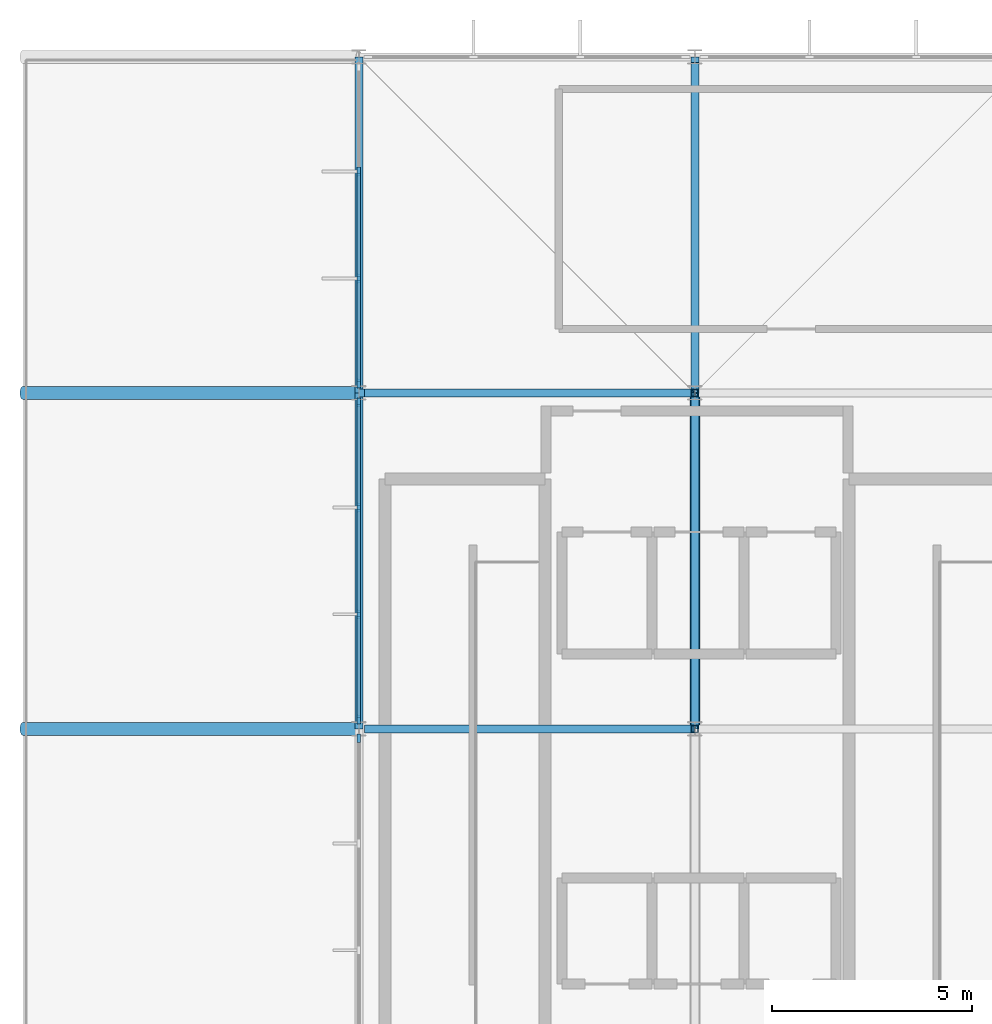
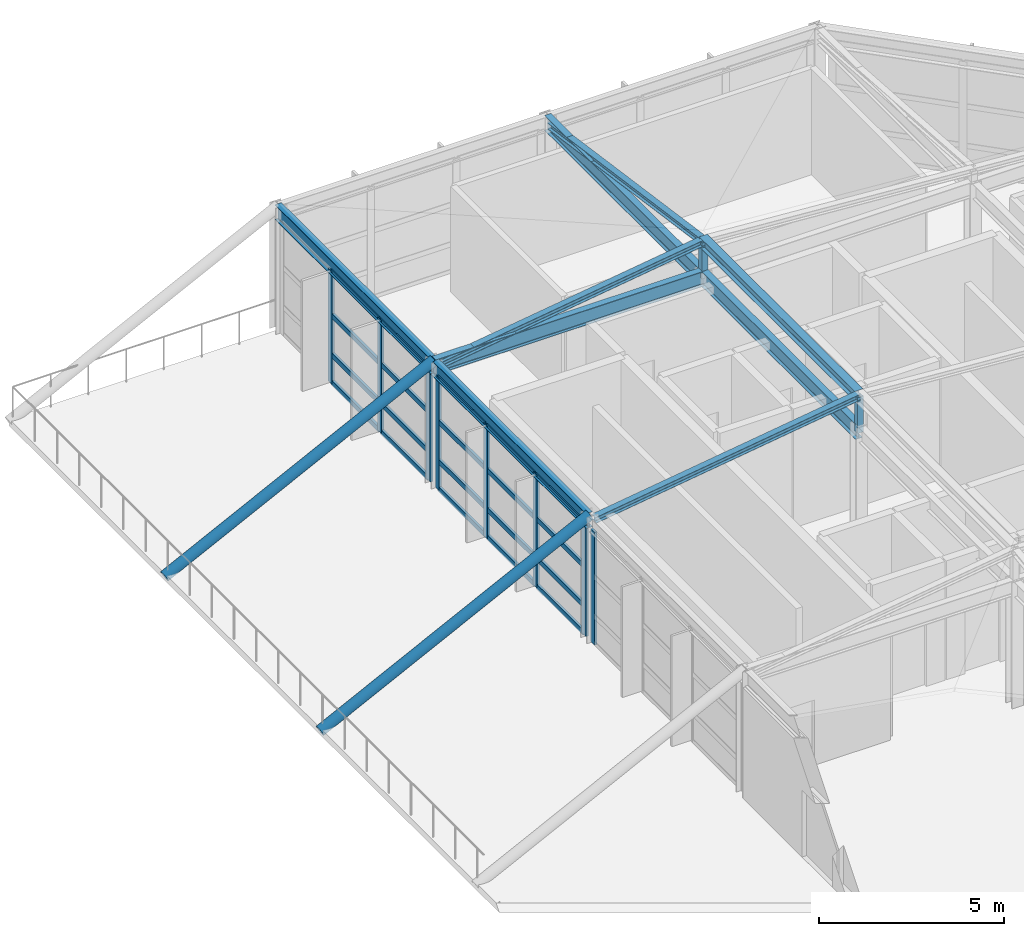
# One storey, part 3 of 9: 36 members, 5 beams, 3 elements without a shape of their own.
"""IFC4 building model written with IfcOpenShell, lengths in metres."""

from ifc_helpers import new_model, si_unit, direction, frame, origin, origin_2d, place, context, subcontext, project, spatial, rectangle, hollow_rectangle, hollow_circle, i_section, extrude, material, material_profile, profile_set, type_object, element, aggregate, save


model = new_model("IFC4")

# Units and contexts
model_context = context("Model", 3, precision=1e-05, world=origin(), true_north=direction((0.0, 1.0)))
body_context = subcontext(model_context, "Body", "Model", "MODEL_VIEW")
ifc_project = project(units=[si_unit("LENGTHUNIT", "METRE"), si_unit("AREAUNIT", "SQUARE_METRE"), si_unit("VOLUMEUNIT", "CUBIC_METRE"), si_unit("PLANEANGLEUNIT", "RADIAN"), si_unit("MASSUNIT", "GRAM", prefix="KILO")], contexts=[model_context])

# Site, building, storey
site_placement = place(None, origin())
site = spatial("IfcSite", under=ifc_project, at=site_placement, CompositionType="ELEMENT")
building_placement = place(site_placement, origin())
building = spatial("IfcBuilding", under=site, at=building_placement, Name="Xuanlan Plaza Opera House", CompositionType="ELEMENT")
storey_placement = place(building_placement, frame((0.0, 0.0, 74.39990234375)))
storey = spatial("IfcBuildingStorey", under=building, at=storey_placement, Name="ROOF", CompositionType="ELEMENT", Elevation=74.39990234375)

# Curtain wall, members
ifc_material_1 = material(Name="Anodised Aluminium 6063-T6 and Low-E Glass", Category="aluminium")
curtain_wall_type_1 = type_object("IfcCurtainWallType", Name="ENV-CW-CW-03", PredefinedType="USERDEFINED", material=ifc_material_1)
curtain_wall_1_placement = place(storey_placement, origin())
curtain_wall_1 = element("IfcCurtainWall", 1, at=curtain_wall_1_placement, inside=storey, type_object=curtain_wall_type_1, Name="Unitised Curtain Wall ROOF-009", ObjectType="UNITISED CURTAIN WALL", PredefinedType="USERDEFINED")
ifc_material_2 = material(Name="Anodised Aluminium 6063-T6", Category="aluminium")
ifc_material_profile_1 = material_profile(ifc_material_2, rectangle(XDim=0.080078125, YDim=0.219970703125, at=origin_2d()), Name="ALU-M 80x220")
ifc_profile_set_1 = profile_set([ifc_material_profile_1], Name="Anodised Aluminium 6063-T6")
member_type_1 = type_object("IfcMemberType", Name="ENV-CWM-04", PredefinedType="MULLION", material=ifc_profile_set_1)
member_1_placement = place(storey_placement, frame((134.39990234375, 72.735107421875, 0.0), z_axis=(0.0, 0.0, 1.0), x_axis=(1.0, 0.0, 0.0)))
member_1 = element("IfcMember", 2, at=member_1_placement, type_object=member_type_1, Name="CW-03 mullion 2", PredefinedType="MULLION", context=body_context, shape_type="SweptSolid", body=[
    extrude(rectangle(XDim=0.080078125, YDim=0.219970703125, at=origin_2d()), origin(), (0.0, 0.0, 1.0), 3.72021484375),
])
member_2_placement = place(storey_placement, frame((134.39990234375, 70.06494140625, 0.0), z_axis=(0.0, 0.0, 1.0), x_axis=(1.0, 0.0, 0.0)))
member_2 = element("IfcMember", 3, at=member_2_placement, type_object=member_type_1, Name="CW-03 mullion 3", PredefinedType="MULLION", context=body_context, shape_type="SweptSolid", body=[
    extrude(rectangle(XDim=0.080078125, YDim=0.219970703125, at=origin_2d()), origin(), (0.0, 0.0, 1.0), 3.72021484375),
])
member_3_placement = place(storey_placement, frame((134.39990234375, 67.43505859375, 0.0), z_axis=(0.0, 0.0, 1.0), x_axis=(1.0, 0.0, 0.0)))
member_3 = element("IfcMember", 4, at=member_3_placement, type_object=member_type_1, Name="CW-03 mullion 4", PredefinedType="MULLION", context=body_context, shape_type="SweptSolid", body=[
    extrude(rectangle(XDim=0.080078125, YDim=0.219970703125, at=origin_2d()), origin(), (0.0, 0.0, 1.0), 3.72021484375),
])

curtain_wall_type_2 = type_object("IfcCurtainWallType", Name="ENV-CW-CW-04", PredefinedType="USERDEFINED", material=ifc_material_1)
curtain_wall_2_placement = place(storey_placement, origin())
curtain_wall_2 = element("IfcCurtainWall", 5, at=curtain_wall_2_placement, inside=storey, type_object=curtain_wall_type_2, Name="Unitised Curtain Wall ROOF-010", ObjectType="UNITISED CURTAIN WALL", PredefinedType="USERDEFINED")
member_4_placement = place(storey_placement, frame((134.39990234375, 66.965087890625, 0.0), z_axis=(0.0, 0.0, 1.0), x_axis=(1.0, 0.0, 0.0)))
member_4 = element("IfcMember", 6, at=member_4_placement, type_object=member_type_1, Name="CW-04 mullion 1", PredefinedType="MULLION", context=body_context, shape_type="SweptSolid", body=[
    extrude(rectangle(XDim=0.080078125, YDim=0.219970703125, at=origin_2d()), origin(), (0.0, 0.0, 1.0), 3.72021484375),
])
member_5_placement = place(storey_placement, frame((134.39990234375, 64.3349609375, 0.0), z_axis=(0.0, 0.0, 1.0), x_axis=(1.0, 0.0, 0.0)))
member_5 = element("IfcMember", 7, at=member_5_placement, type_object=member_type_1, Name="CW-04 mullion 2", PredefinedType="MULLION", context=body_context, shape_type="SweptSolid", body=[
    extrude(rectangle(XDim=0.080078125, YDim=0.219970703125, at=origin_2d()), origin(), (0.0, 0.0, 1.0), 3.72021484375),
])
member_6_placement = place(storey_placement, frame((134.39990234375, 61.6650390625, 0.0), z_axis=(0.0, 0.0, 1.0), x_axis=(1.0, 0.0, 0.0)))
member_6 = element("IfcMember", 8, at=member_6_placement, type_object=member_type_1, Name="CW-04 mullion 3", PredefinedType="MULLION", context=body_context, shape_type="SweptSolid", body=[
    extrude(rectangle(XDim=0.080078125, YDim=0.219970703125, at=origin_2d()), origin(), (0.0, 0.0, 1.0), 3.72021484375),
])
member_7_placement = place(storey_placement, frame((134.39990234375, 59.034912109375, 0.0), z_axis=(0.0, 0.0, 1.0), x_axis=(1.0, 0.0, 0.0)))
member_7 = element("IfcMember", 9, at=member_7_placement, type_object=member_type_1, Name="CW-04 mullion 4", PredefinedType="MULLION", context=body_context, shape_type="SweptSolid", body=[
    extrude(rectangle(XDim=0.080078125, YDim=0.219970703125, at=origin_2d()), origin(), (0.0, 0.0, 1.0), 3.72021484375),
])

# Curtain wall, member
curtain_wall_3_placement = place(storey_placement, origin())
curtain_wall_3 = element("IfcCurtainWall", 10, at=curtain_wall_3_placement, inside=storey, type_object=curtain_wall_type_1, Name="Unitised Curtain Wall ROOF-011", ObjectType="UNITISED CURTAIN WALL", PredefinedType="USERDEFINED")
member_8_placement = place(storey_placement, frame((134.39990234375, 58.56494140625, 0.0), z_axis=(0.0, 0.0, 1.0), x_axis=(1.0, 0.0, 0.0)))
member_8 = element("IfcMember", 11, at=member_8_placement, type_object=member_type_1, Name="CW-03 mullion 1", PredefinedType="MULLION", context=body_context, shape_type="SweptSolid", body=[
    extrude(rectangle(XDim=0.080078125, YDim=0.219970703125, at=origin_2d()), origin(), (0.0, 0.0, 1.0), 3.72021484375),
])
aggregate(curtain_wall_3, [member_8])

# Member
ifc_material_profile_2 = material_profile(ifc_material_2, rectangle(XDim=0.080078125, YDim=0.1650390625, at=origin_2d()), Name="ALU-T 80x165")
ifc_profile_set_2 = profile_set([ifc_material_profile_2], Name="Anodised Aluminium 6063-T6")
member_type_2 = type_object("IfcMemberType", Name="ENV-CWT-04", PredefinedType="USERDEFINED", material=ifc_profile_set_2)
member_9_placement = place(storey_placement, frame((134.39990234375, 72.695068359375, 0.0400390625), z_axis=(0.0, -1.0, 0.0), x_axis=(1.0, 0.0, 0.0)))
member_9 = element("IfcMember", 12, at=member_9_placement, type_object=member_type_2, Name="CW-03 transom 2.1", ObjectType="TRANSOM", PredefinedType="USERDEFINED", context=body_context, shape_type="SweptSolid", body=[
    extrude(rectangle(XDim=0.080078125, YDim=0.1650390625, at=origin_2d()), origin(), (0.0, 0.0, 1.0), 2.590087890625),
])

member_10_placement = place(storey_placement, frame((134.39990234375, 72.695068359375, 0.9501953125), z_axis=(0.0, -1.0, 0.0), x_axis=(1.0, 0.0, 0.0)))
member_10 = element("IfcMember", 13, at=member_10_placement, type_object=member_type_2, Name="CW-03 transom 2.2", ObjectType="TRANSOM", PredefinedType="USERDEFINED", context=body_context, shape_type="SweptSolid", body=[
    extrude(rectangle(XDim=0.080078125, YDim=0.1650390625, at=origin_2d()), origin(), (0.0, 0.0, 1.0), 2.590087890625),
])

member_11_placement = place(storey_placement, frame((134.39990234375, 72.695068359375, 2.25), z_axis=(0.0, -1.0, 0.0), x_axis=(1.0, 0.0, 0.0)))
member_11 = element("IfcMember", 14, at=member_11_placement, type_object=member_type_2, Name="CW-03 transom 2.3", ObjectType="TRANSOM", PredefinedType="USERDEFINED", context=body_context, shape_type="SweptSolid", body=[
    extrude(rectangle(XDim=0.080078125, YDim=0.1650390625, at=origin_2d()), origin(), (0.0, 0.0, 1.0), 2.590087890625),
])

member_12_placement = place(storey_placement, frame((134.39990234375, 72.695068359375, 3.68017578125), z_axis=(0.0, -1.0, 0.0), x_axis=(1.0, 0.0, 0.0)))
member_12 = element("IfcMember", 15, at=member_12_placement, type_object=member_type_2, Name="CW-03 transom 2.4", ObjectType="TRANSOM", PredefinedType="USERDEFINED", context=body_context, shape_type="SweptSolid", body=[
    extrude(rectangle(XDim=0.080078125, YDim=0.1650390625, at=origin_2d()), origin(), (0.0, 0.0, 1.0), 2.590087890625),
])

member_13_placement = place(storey_placement, frame((134.39990234375, 70.02490234375, 0.0400390625), z_axis=(0.0, -1.0, 0.0), x_axis=(1.0, 0.0, 0.0)))
member_13 = element("IfcMember", 16, at=member_13_placement, type_object=member_type_2, Name="CW-03 transom 3.1", ObjectType="TRANSOM", PredefinedType="USERDEFINED", context=body_context, shape_type="SweptSolid", body=[
    extrude(rectangle(XDim=0.080078125, YDim=0.1650390625, at=origin_2d()), origin(), (0.0, 0.0, 1.0), 2.5498046875),
])

member_14_placement = place(storey_placement, frame((134.39990234375, 70.02490234375, 0.9501953125), z_axis=(0.0, -1.0, 0.0), x_axis=(1.0, 0.0, 0.0)))
member_14 = element("IfcMember", 17, at=member_14_placement, type_object=member_type_2, Name="CW-03 transom 3.2", ObjectType="TRANSOM", PredefinedType="USERDEFINED", context=body_context, shape_type="SweptSolid", body=[
    extrude(rectangle(XDim=0.080078125, YDim=0.1650390625, at=origin_2d()), origin(), (0.0, 0.0, 1.0), 2.5498046875),
])

member_15_placement = place(storey_placement, frame((134.39990234375, 70.02490234375, 2.25), z_axis=(0.0, -1.0, 0.0), x_axis=(1.0, 0.0, 0.0)))
member_15 = element("IfcMember", 18, at=member_15_placement, type_object=member_type_2, Name="CW-03 transom 3.3", ObjectType="TRANSOM", PredefinedType="USERDEFINED", context=body_context, shape_type="SweptSolid", body=[
    extrude(rectangle(XDim=0.080078125, YDim=0.1650390625, at=origin_2d()), origin(), (0.0, 0.0, 1.0), 2.5498046875),
])

member_16_placement = place(storey_placement, frame((134.39990234375, 70.02490234375, 3.68017578125), z_axis=(0.0, -1.0, 0.0), x_axis=(1.0, 0.0, 0.0)))
member_16 = element("IfcMember", 19, at=member_16_placement, type_object=member_type_2, Name="CW-03 transom 3.4", ObjectType="TRANSOM", PredefinedType="USERDEFINED", context=body_context, shape_type="SweptSolid", body=[
    extrude(rectangle(XDim=0.080078125, YDim=0.1650390625, at=origin_2d()), origin(), (0.0, 0.0, 1.0), 2.5498046875),
])

aggregate(curtain_wall_1, [member_1, member_2, member_3, member_9, member_10, member_11, member_12, member_13, member_14, member_15, member_16])

member_17_placement = place(storey_placement, frame((134.39990234375, 66.925048828125, 0.0400390625), z_axis=(0.0, -1.0, 0.0), x_axis=(1.0, 0.0, 0.0)))
member_17 = element("IfcMember", 20, at=member_17_placement, type_object=member_type_2, Name="CW-04 transom 1.1", ObjectType="TRANSOM", PredefinedType="USERDEFINED", context=body_context, shape_type="SweptSolid", body=[
    extrude(rectangle(XDim=0.080078125, YDim=0.1650390625, at=origin_2d()), origin(), (0.0, 0.0, 1.0), 2.550048828125),
])

member_18_placement = place(storey_placement, frame((134.39990234375, 66.925048828125, 0.9501953125), z_axis=(0.0, -1.0, 0.0), x_axis=(1.0, 0.0, 0.0)))
member_18 = element("IfcMember", 21, at=member_18_placement, type_object=member_type_2, Name="CW-04 transom 1.2", ObjectType="TRANSOM", PredefinedType="USERDEFINED", context=body_context, shape_type="SweptSolid", body=[
    extrude(rectangle(XDim=0.080078125, YDim=0.1650390625, at=origin_2d()), origin(), (0.0, 0.0, 1.0), 2.550048828125),
])

member_19_placement = place(storey_placement, frame((134.39990234375, 66.925048828125, 2.25), z_axis=(0.0, -1.0, 0.0), x_axis=(1.0, 0.0, 0.0)))
member_19 = element("IfcMember", 22, at=member_19_placement, type_object=member_type_2, Name="CW-04 transom 1.3", ObjectType="TRANSOM", PredefinedType="USERDEFINED", context=body_context, shape_type="SweptSolid", body=[
    extrude(rectangle(XDim=0.080078125, YDim=0.1650390625, at=origin_2d()), origin(), (0.0, 0.0, 1.0), 2.550048828125),
])

member_20_placement = place(storey_placement, frame((134.39990234375, 66.925048828125, 3.68017578125), z_axis=(0.0, -1.0, 0.0), x_axis=(1.0, 0.0, 0.0)))
member_20 = element("IfcMember", 23, at=member_20_placement, type_object=member_type_2, Name="CW-04 transom 1.4", ObjectType="TRANSOM", PredefinedType="USERDEFINED", context=body_context, shape_type="SweptSolid", body=[
    extrude(rectangle(XDim=0.080078125, YDim=0.1650390625, at=origin_2d()), origin(), (0.0, 0.0, 1.0), 2.550048828125),
])

member_21_placement = place(storey_placement, frame((134.39990234375, 64.294921875, 0.0400390625), z_axis=(0.0, -1.0, 0.0), x_axis=(1.0, 0.0, 0.0)))
member_21 = element("IfcMember", 24, at=member_21_placement, type_object=member_type_2, Name="CW-04 transom 2.1", ObjectType="TRANSOM", PredefinedType="USERDEFINED", context=body_context, shape_type="SweptSolid", body=[
    extrude(rectangle(XDim=0.080078125, YDim=0.1650390625, at=origin_2d()), origin(), (0.0, 0.0, 1.0), 2.58984375),
])

member_22_placement = place(storey_placement, frame((134.39990234375, 64.294921875, 0.9501953125), z_axis=(0.0, -1.0, 0.0), x_axis=(1.0, 0.0, 0.0)))
member_22 = element("IfcMember", 25, at=member_22_placement, type_object=member_type_2, Name="CW-04 transom 2.2", ObjectType="TRANSOM", PredefinedType="USERDEFINED", context=body_context, shape_type="SweptSolid", body=[
    extrude(rectangle(XDim=0.080078125, YDim=0.1650390625, at=origin_2d()), origin(), (0.0, 0.0, 1.0), 2.58984375),
])

member_23_placement = place(storey_placement, frame((134.39990234375, 64.294921875, 2.25), z_axis=(0.0, -1.0, 0.0), x_axis=(1.0, 0.0, 0.0)))
member_23 = element("IfcMember", 26, at=member_23_placement, type_object=member_type_2, Name="CW-04 transom 2.3", ObjectType="TRANSOM", PredefinedType="USERDEFINED", context=body_context, shape_type="SweptSolid", body=[
    extrude(rectangle(XDim=0.080078125, YDim=0.1650390625, at=origin_2d()), origin(), (0.0, 0.0, 1.0), 2.58984375),
])

member_24_placement = place(storey_placement, frame((134.39990234375, 64.294921875, 3.68017578125), z_axis=(0.0, -1.0, 0.0), x_axis=(1.0, 0.0, 0.0)))
member_24 = element("IfcMember", 27, at=member_24_placement, type_object=member_type_2, Name="CW-04 transom 2.4", ObjectType="TRANSOM", PredefinedType="USERDEFINED", context=body_context, shape_type="SweptSolid", body=[
    extrude(rectangle(XDim=0.080078125, YDim=0.1650390625, at=origin_2d()), origin(), (0.0, 0.0, 1.0), 2.58984375),
])

member_25_placement = place(storey_placement, frame((134.39990234375, 61.625, 0.0400390625), z_axis=(0.0, -1.0, 0.0), x_axis=(1.0, 0.0, 0.0)))
member_25 = element("IfcMember", 28, at=member_25_placement, type_object=member_type_2, Name="CW-04 transom 3.1", ObjectType="TRANSOM", PredefinedType="USERDEFINED", context=body_context, shape_type="SweptSolid", body=[
    extrude(rectangle(XDim=0.080078125, YDim=0.1650390625, at=origin_2d()), origin(), (0.0, 0.0, 1.0), 2.550048828125),
])

member_26_placement = place(storey_placement, frame((134.39990234375, 61.625, 0.9501953125), z_axis=(0.0, -1.0, 0.0), x_axis=(1.0, 0.0, 0.0)))
member_26 = element("IfcMember", 29, at=member_26_placement, type_object=member_type_2, Name="CW-04 transom 3.2", ObjectType="TRANSOM", PredefinedType="USERDEFINED", context=body_context, shape_type="SweptSolid", body=[
    extrude(rectangle(XDim=0.080078125, YDim=0.1650390625, at=origin_2d()), origin(), (0.0, 0.0, 1.0), 2.550048828125),
])

member_27_placement = place(storey_placement, frame((134.39990234375, 61.625, 2.25), z_axis=(0.0, -1.0, 0.0), x_axis=(1.0, 0.0, 0.0)))
member_27 = element("IfcMember", 30, at=member_27_placement, type_object=member_type_2, Name="CW-04 transom 3.3", ObjectType="TRANSOM", PredefinedType="USERDEFINED", context=body_context, shape_type="SweptSolid", body=[
    extrude(rectangle(XDim=0.080078125, YDim=0.1650390625, at=origin_2d()), origin(), (0.0, 0.0, 1.0), 2.550048828125),
])

member_28_placement = place(storey_placement, frame((134.39990234375, 61.625, 3.68017578125), z_axis=(0.0, -1.0, 0.0), x_axis=(1.0, 0.0, 0.0)))
member_28 = element("IfcMember", 31, at=member_28_placement, type_object=member_type_2, Name="CW-04 transom 3.4", ObjectType="TRANSOM", PredefinedType="USERDEFINED", context=body_context, shape_type="SweptSolid", body=[
    extrude(rectangle(XDim=0.080078125, YDim=0.1650390625, at=origin_2d()), origin(), (0.0, 0.0, 1.0), 2.550048828125),
])

aggregate(curtain_wall_2, [member_4, member_5, member_6, member_7, member_17, member_18, member_19, member_20, member_21, member_22, member_23, member_24, member_25, member_26, member_27, member_28])

# Beams
ifc_material_3 = material(Name="Steel Q355B", Category="steel")
ifc_material_profile_3 = material_profile(ifc_material_3, i_section(OverallWidth=0.199951171875, OverallDepth=0.5, WebThickness=0.010009765625, FlangeThickness=0.01611328125, FilletRadius=0.02001953125, at=origin_2d()), Name="HN 500x200x10x16")
ifc_profile_set_3 = profile_set([ifc_material_profile_3], Name="Steel Q355B")
beam_type = type_object("IfcBeamType", Name="STR-BM-SB-05", PredefinedType="BEAM", material=ifc_profile_set_3)
beam_1_placement = place(storey_placement, frame((134.39990234375, 67.199951171875, 3.900146484375), z_axis=(1.0, 0.0, 0.0), x_axis=(0.0, 1.0, 0.0)))
element("IfcBeam", 32, at=beam_1_placement, inside=storey, type_object=beam_type, Name="Crown Sky-Lantern Beam X ROOF 17-18/I", PredefinedType="BEAM", context=body_context, shape_type="SweptSolid", body=[
    extrude(i_section(OverallWidth=0.199951171875, OverallDepth=0.5, WebThickness=0.010009765625, FlangeThickness=0.01611328125, FilletRadius=0.02001953125, at=origin_2d()), origin(), (0.0, 0.0, 1.0), 8.400146484375),
])
beam_2_placement = place(storey_placement, frame((134.39990234375, 58.800048828125, 3.900146484375), z_axis=(0.0, 1.0, 0.0), x_axis=(-1.0, 0.0, 0.0)))
element("IfcBeam", 33, at=beam_2_placement, inside=storey, type_object=beam_type, Name="Crown Sky-Lantern Beam Y ROOF 17/H-I", PredefinedType="BEAM", context=body_context, shape_type="SweptSolid", body=[
    extrude(i_section(OverallWidth=0.199951171875, OverallDepth=0.5, WebThickness=0.010009765625, FlangeThickness=0.01611328125, FilletRadius=0.02001953125, at=origin_2d()), origin(), (0.0, 0.0, 1.0), 8.39990234375),
])
beam_3_placement = place(storey_placement, frame((134.39990234375, 67.199951171875, 3.900146484375), z_axis=(0.0, 1.0, 0.0), x_axis=(-1.0, 0.0, 0.0)))
element("IfcBeam", 34, at=beam_3_placement, inside=storey, type_object=beam_type, Name="Crown Sky-Lantern Beam Y ROOF 17/I-J", PredefinedType="BEAM", context=body_context, shape_type="SweptSolid", body=[
    extrude(i_section(OverallWidth=0.199951171875, OverallDepth=0.5, WebThickness=0.010009765625, FlangeThickness=0.01611328125, FilletRadius=0.02001953125, at=origin_2d()), origin(), (0.0, 0.0, 1.0), 8.400146484375),
])
beam_4_placement = place(storey_placement, frame((142.800048828125, 58.800048828125, 3.900146484375), z_axis=(0.0, 1.0, 0.0), x_axis=(-1.0, 0.0, 0.0)))
element("IfcBeam", 35, at=beam_4_placement, inside=storey, type_object=beam_type, Name="Crown Sky-Lantern Beam Y ROOF 18/H-I", PredefinedType="BEAM", context=body_context, shape_type="SweptSolid", body=[
    extrude(i_section(OverallWidth=0.199951171875, OverallDepth=0.5, WebThickness=0.010009765625, FlangeThickness=0.01611328125, FilletRadius=0.02001953125, at=origin_2d()), origin(), (0.0, 0.0, 1.0), 8.39990234375),
])
beam_5_placement = place(storey_placement, frame((142.800048828125, 67.199951171875, 3.900146484375), z_axis=(0.0, 1.0, 0.0), x_axis=(-1.0, 0.0, 0.0)))
element("IfcBeam", 36, at=beam_5_placement, inside=storey, type_object=beam_type, Name="Crown Sky-Lantern Beam Y ROOF 18/I-J", PredefinedType="BEAM", context=body_context, shape_type="SweptSolid", body=[
    extrude(i_section(OverallWidth=0.199951171875, OverallDepth=0.5, WebThickness=0.010009765625, FlangeThickness=0.01611328125, FilletRadius=0.02001953125, at=origin_2d()), origin(), (0.0, 0.0, 1.0), 8.400146484375),
])

# Members
ifc_material_profile_4 = material_profile(ifc_material_3, hollow_circle(Radius=0.161865234375, WallThickness=0.013916015625, at=origin_2d()), Name="CHS 323.9x14")
ifc_profile_set_4 = profile_set([ifc_material_profile_4], Name="Steel Q355B")
member_type_3 = type_object("IfcMemberType", Name="STR-MEM-BR-03", PredefinedType="BRACE", material=ifc_profile_set_4)
for number, where, z_axis, x_axis, name in (
    (37, (126.0, 58.800048828125, -0.099853515625), (0.895279051449, 0.0, 0.445505802472), (0.0, 1.0, 0.0), "Crown West Sky-Deck Raked Portal Rib 03"),
    (38, (126.0, 67.199951171875, -0.099853515625), (0.895279051449, 0.0, 0.445505802472), (0.0, 1.0, 0.0), "Crown West Sky-Deck Raked Portal Rib 04"),
):
    element("IfcMember", number, at=place(storey_placement, frame(where, z_axis=z_axis, x_axis=x_axis)), inside=storey, type_object=member_type_3, Name=name, PredefinedType="BRACE", context=body_context, shape_type="SweptSolid", body=[
        extrude(hollow_circle(Radius=0.161865234375, WallThickness=0.013916015625, at=origin_2d()), origin(), (0.0, 0.0, 1.0), 9.38232421875),
    ])
ifc_material_profile_5 = material_profile(ifc_material_3, hollow_rectangle(XDim=0.179931640625, YDim=0.179931640625, WallThickness=0.010009765625, at=origin_2d()), Name="SHS 180x180x10")
ifc_profile_set_5 = profile_set([ifc_material_profile_5], Name="Steel Q355B")
member_type_4 = type_object("IfcMemberType", Name="STR-MEM-ST-M2", PredefinedType="STRUT", material=ifc_profile_set_5)
for number, where, z_axis, x_axis, name in (
    (39, (142.800048828125, 58.800048828125, 3.900146484375), (0.0, 0.0, 1.0), (1.0, 0.0, 0.0), "Crown Lantern King-Post Strut 02"),
    (40, (142.800048828125, 67.199951171875, 3.900146484375), (0.0, 0.0, 1.0), (1.0, 0.0, 0.0), "Crown Lantern King-Post Strut 03"),
):
    element("IfcMember", number, at=place(storey_placement, frame(where, z_axis=z_axis, x_axis=x_axis)), inside=storey, type_object=member_type_4, Name=name, PredefinedType="STRUT", context=body_context, shape_type="SweptSolid", body=[
        extrude(hollow_rectangle(XDim=0.179931640625, YDim=0.179931640625, WallThickness=0.010009765625, at=origin_2d()), origin(), (0.0, 0.0, 1.0), 1.179931640625),
    ])
ifc_material_profile_6 = material_profile(ifc_material_3, i_section(OverallWidth=0.25, OverallDepth=0.340087890625, WebThickness=0.009033203125, FlangeThickness=0.013916015625, FilletRadius=0.01611328125, at=origin_2d()), Name="HM 340x250x9x14")
ifc_profile_set_6 = profile_set([ifc_material_profile_6], Name="Steel Q355B")
member_type_5 = type_object("IfcMemberType", Name="STR-MEM-TC-01", PredefinedType="CHORD", material=ifc_profile_set_6)
member_29_placement = place(storey_placement, frame((142.800048828125, 58.800048828125, 5.080078125), z_axis=(0.0, 1.0, 0.0), x_axis=(-1.0, 0.0, 0.0)))
element("IfcMember", 41, at=member_29_placement, inside=storey, type_object=member_type_5, Name="Crown Lantern Roof Ridge Chord North", PredefinedType="CHORD", context=body_context, shape_type="SweptSolid", body=[
    extrude(i_section(OverallWidth=0.25, OverallDepth=0.340087890625, WebThickness=0.009033203125, FlangeThickness=0.013916015625, FilletRadius=0.01611328125, at=origin_2d()), origin(), (0.0, 0.0, 1.0), 8.39990234375),
])
ifc_material_profile_7 = material_profile(ifc_material_3, i_section(OverallWidth=0.199951171875, OverallDepth=0.199951171875, WebThickness=0.008056640625, FlangeThickness=0.011962890625, FilletRadius=0.012939453125, at=origin_2d()), Name="HW 200x200x8x12")
ifc_profile_set_7 = profile_set([ifc_material_profile_7], Name="Steel Q355B")
member_type_6 = type_object("IfcMemberType", Name="STR-MEM-TC-02", PredefinedType="CHORD", material=ifc_profile_set_7)
for number, where, z_axis, x_axis, name in (
    (42, (134.550048828125, 58.800048828125, 3.900146484375), (0.98992663087, 0.0, 0.141581303474), (0.0, 1.0, 0.0), "Crown Lantern Sloped Rafter 02"),
    (43, (134.550048828125, 67.199951171875, 3.900146484375), (0.98992663087, 0.0, 0.141581303474), (0.0, 1.0, 0.0), "Crown Lantern Sloped Rafter 03"),
    (44, (142.800048828125, 75.449951171875, 3.900146484375), (0.0, -0.98992663087, 0.141581303474), (1.0, 0.0, 0.0), "Crown Lantern Sloped Rafter 05"),
):
    element("IfcMember", number, at=place(storey_placement, frame(where, z_axis=z_axis, x_axis=x_axis)), inside=storey, type_object=member_type_6, Name=name, PredefinedType="CHORD", context=body_context, shape_type="SweptSolid", body=[
        extrude(i_section(OverallWidth=0.199951171875, OverallDepth=0.199951171875, WebThickness=0.008056640625, FlangeThickness=0.011962890625, FilletRadius=0.012939453125, at=origin_2d()), origin(), (0.0, 0.0, 1.0), 8.333984375),
    ])

save(model, "model.ifc")
